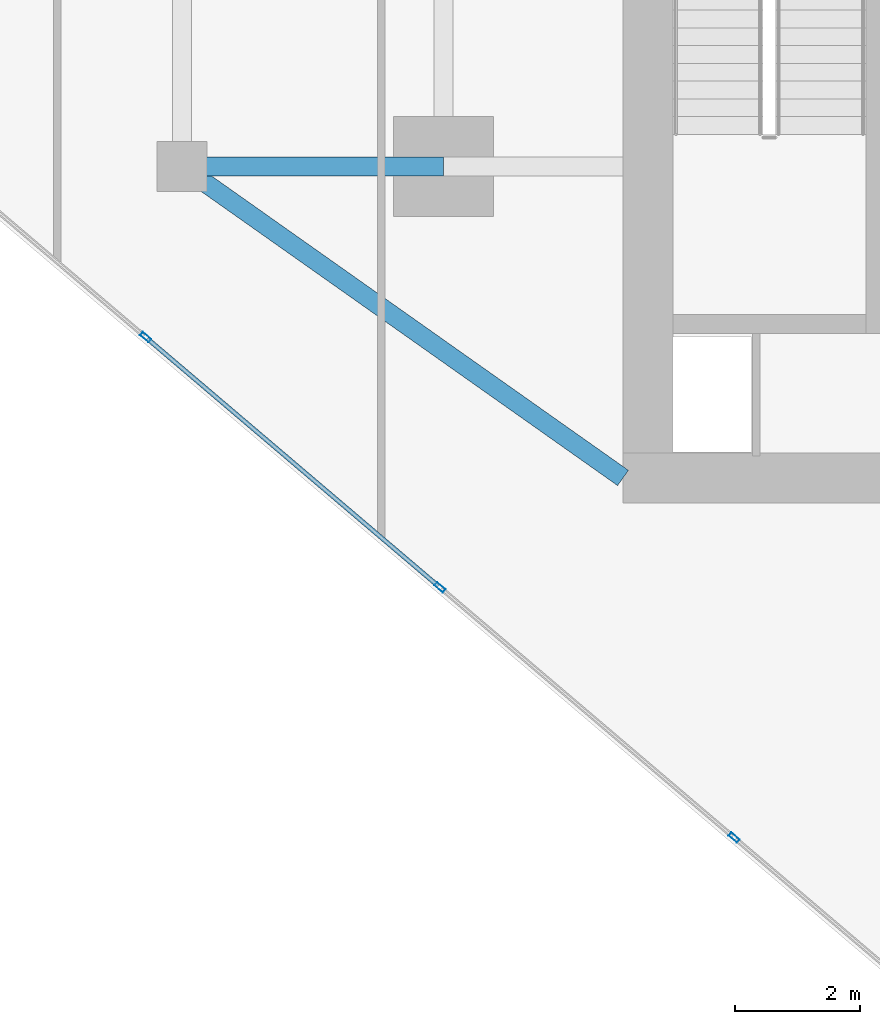
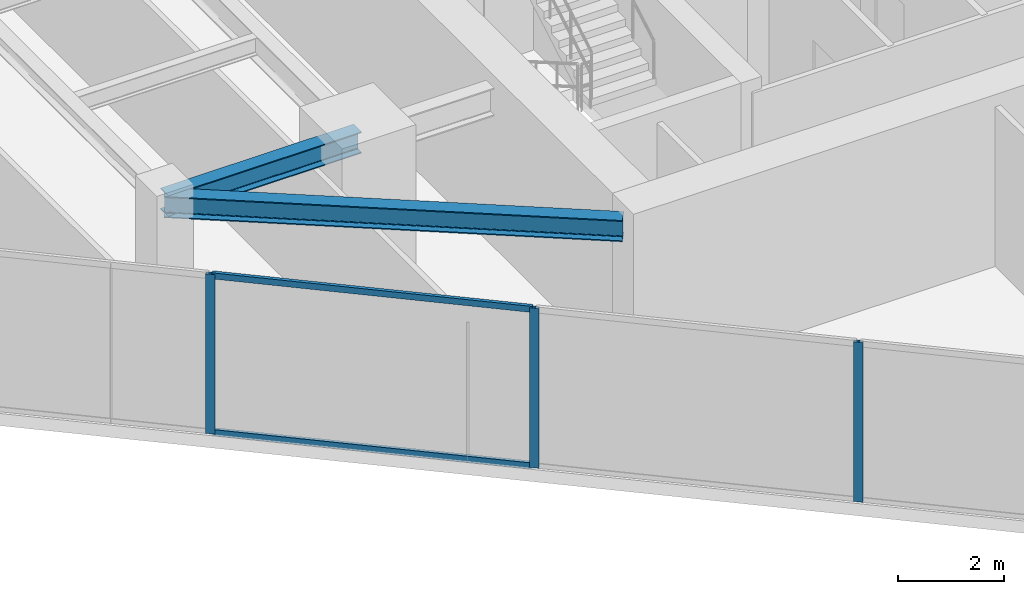
# One storey, part 2 of 25: 5 members, 2 beams, 1 element without a shape of its own.
"""IFC4 building model written with IfcOpenShell, lengths in metres."""

from ifc_helpers import new_model, si_unit, direction, frame, origin, origin_2d, place, context, subcontext, project, spatial, hollow_rectangle, i_section, extrude, source, transform, mapped, material, material_profile, profile_set, type_object, type_shapes, element, aggregate, save


model = new_model("IFC4")

# Units and contexts
model_context = context("Model", 3, precision=1e-05, world=origin(), true_north=direction((0.0, 1.0)))
body_context = subcontext(model_context, "Body", "Model", "MODEL_VIEW")
ifc_project = project(units=[si_unit("LENGTHUNIT", "METRE"), si_unit("AREAUNIT", "SQUARE_METRE"), si_unit("VOLUMEUNIT", "CUBIC_METRE"), si_unit("PLANEANGLEUNIT", "RADIAN"), si_unit("MASSUNIT", "GRAM", prefix="KILO")], contexts=[model_context])

# Site, building, storey
site_placement = place(None, origin())
site = spatial("IfcSite", under=ifc_project, at=site_placement, CompositionType="ELEMENT")
building_placement = place(site_placement, origin())
building = spatial("IfcBuilding", under=site, at=building_placement, Name="Krantzveldt Concourse Tower", CompositionType="ELEMENT")
storey_placement = place(building_placement, frame((0.0, 0.0, 215.199951171875)))
storey = spatial("IfcBuildingStorey", under=building, at=storey_placement, Name="L52", CompositionType="ELEMENT", Elevation=215.199951171875)

# Beams
ifc_material_1 = material(Name="Steel S355JR", Category="steel")
ifc_material_profile_1 = material_profile(ifc_material_1, i_section(OverallWidth=0.300048828125, OverallDepth=0.489990234375, WebThickness=0.011962890625, FlangeThickness=0.02294921875, FilletRadius=0.027099609375, at=origin_2d()), Name="Steel S355JR", Category="steel")
ifc_profile_set_1 = profile_set([ifc_material_profile_1], Name="Steel S355JR - HEA 500")
beam_type = type_object("IfcBeamType", Name="BM-B-HEA500", PredefinedType="BEAM", material=ifc_profile_set_1)
shared_shape_1 = source(origin(), body_context, "Body", "SweptSolid", [
    extrude(i_section(OverallWidth=0.300048828125, OverallDepth=0.489990234375, WebThickness=0.011962890625, FlangeThickness=0.02294921875, FilletRadius=0.027099609375, at=origin_2d()), origin(), (0.0, 0.0, 1.0), 4.199951171875),
])
beam_1_placement = place(storey_placement, frame((21.0, 15.89990234375, 3.425048828125), z_axis=(1.0, 0.0, 0.0), x_axis=(0.0, 1.0, 0.0)))
element("IfcBeam", 1, at=beam_1_placement, inside=storey, type_object=beam_type, Name="L52 Tower Girder BR-RL1", PredefinedType="BEAM", context=body_context, shape_type="MappedRepresentation", body=[
    mapped(shared_shape_1, transform((0.0, 0.0, 0.0), x_axis=(1.0, 0.0, 0.0), y_axis=(0.0, 1.0, 0.0), z_axis=(0.0, 0.0, 1.0), scale=1.0)),
])
shared_shape_2 = source(origin(), body_context, "Body", "SweptSolid", [
    extrude(i_section(OverallWidth=0.300048828125, OverallDepth=0.489990234375, WebThickness=0.011962890625, FlangeThickness=0.02294921875, FilletRadius=0.027099609375, at=origin_2d()), origin(), (0.0, 0.0, 1.0), 8.667724609375),
])
type_shapes(beam_type, [shared_shape_1, shared_shape_2])
beam_2_placement = place(storey_placement, frame((21.0, 15.89990234375, 3.425048828125), z_axis=(0.81684294656, -0.576860122261, 0.0), x_axis=(0.576860122261, 0.81684294656, 0.0)))
element("IfcBeam", 2, at=beam_2_placement, inside=storey, type_object=beam_type, Name="L52 Tower Girder BR-CSW", PredefinedType="BEAM", context=body_context, shape_type="MappedRepresentation", body=[
    mapped(shared_shape_2, transform((0.0, 0.0, 0.0), x_axis=(1.0, 0.0, 0.0), y_axis=(0.0, 1.0, 0.0), z_axis=(0.0, 0.0, 1.0), scale=1.0)),
])

# Curtain wall, members
ifc_material_2 = material(Name="Anodised aluminium 6063-T6", Category="aluminium")
curtain_wall_type = type_object("IfcCurtainWallType", Name="CW3", PredefinedType="USERDEFINED", material=ifc_material_2)
curtain_wall_placement = place(storey_placement, origin())
curtain_wall = element("IfcCurtainWall", 3, at=curtain_wall_placement, inside=storey, type_object=curtain_wall_type, Name="CW-L52-F04", ObjectType="UNITISED CURTAIN WALL", PredefinedType="USERDEFINED")
ifc_material_profile_2 = material_profile(ifc_material_2, hollow_rectangle(XDim=0.070068359375, YDim=0.179931640625, WallThickness=0.0048828125, at=origin_2d()), Name="Anodised aluminium 6063-T6", Category="aluminium")
ifc_profile_set_2 = profile_set([ifc_material_profile_2], Name="Anodised aluminium 6063-T6 - ALU-MULL 180x70x5")
member_type_1 = type_object("IfcMemberType", Name="CW-MUL-180", PredefinedType="MULLION", material=ifc_profile_set_2)
shared_shape_3 = source(origin(), body_context, "Body", "SweptSolid", [
    extrude(hollow_rectangle(XDim=0.070068359375, YDim=0.179931640625, WallThickness=0.0048828125, at=origin_2d()), origin(), (0.0, 0.0, 1.0), 3.670166015625),
])
type_shapes(member_type_1, [shared_shape_3])
member_1_placement = place(storey_placement, frame((20.4169921875, 13.159423828125, 0.0), z_axis=(0.0, 0.0, 1.0), x_axis=(0.647787694805, 0.761820912327, 0.0)))
member_1 = element("IfcMember", 4, at=member_1_placement, type_object=member_type_1, Name="CW-Z34 mullion 3", PredefinedType="MULLION", context=body_context, shape_type="MappedRepresentation", body=[
    mapped(shared_shape_3, transform((0.0, 0.0, 0.0), x_axis=(1.0, 0.0, 0.0), y_axis=(0.0, 1.0, 0.0), z_axis=(0.0, 0.0, 1.0), scale=1.0)),
])
member_2_placement = place(storey_placement, frame((25.140380859375, 9.14306640625, 0.0), z_axis=(0.0, 0.0, 1.0), x_axis=(0.647787694805, 0.761820912327, 0.0)))
member_2 = element("IfcMember", 5, at=member_2_placement, type_object=member_type_1, Name="CW-Z34 mullion 4", PredefinedType="MULLION", context=body_context, shape_type="MappedRepresentation", body=[
    mapped(shared_shape_3, transform((0.0, 0.0, 0.0), x_axis=(1.0, 0.0, 0.0), y_axis=(0.0, 1.0, 0.0), z_axis=(0.0, 0.0, 1.0), scale=1.0)),
])
member_3_placement = place(storey_placement, frame((29.863525390625, 5.126708984375, 0.0), z_axis=(0.0, 0.0, 1.0), x_axis=(0.647787694805, 0.761820912327, 0.0)))
member_3 = element("IfcMember", 6, at=member_3_placement, type_object=member_type_1, Name="CW-Z34 mullion 5", PredefinedType="MULLION", context=body_context, shape_type="MappedRepresentation", body=[
    mapped(shared_shape_3, transform((0.0, 0.0, 0.0), x_axis=(1.0, 0.0, 0.0), y_axis=(0.0, 1.0, 0.0), z_axis=(0.0, 0.0, 1.0), scale=1.0)),
])
ifc_material_profile_3 = material_profile(ifc_material_2, hollow_rectangle(XDim=0.070068359375, YDim=0.139892578125, WallThickness=0.0048828125, at=origin_2d()), Name="Anodised aluminium 6063-T6", Category="aluminium")
ifc_profile_set_3 = profile_set([ifc_material_profile_3], Name="Anodised aluminium 6063-T6 - ALU-TRAN 140x70x5")
member_type_2 = type_object("IfcMemberType", Name="CW-TRN-150", PredefinedType="USERDEFINED", material=ifc_profile_set_3)
shared_shape_4 = source(origin(), body_context, "Body", "SweptSolid", [
    extrude(hollow_rectangle(XDim=0.070068359375, YDim=0.139892578125, WallThickness=0.0048828125, at=origin_2d()), origin(), (0.0, 0.0, 1.0), 6.1298828125),
])
type_shapes(member_type_2, [shared_shape_4])
member_4_placement = place(storey_placement, frame((20.443603515625, 13.13671875, 0.03515625), z_axis=(0.761817452252, -0.647791763952, 0.0), x_axis=(0.647791763952, 0.761817452252, 0.0)))
member_4 = element("IfcMember", 7, at=member_4_placement, type_object=member_type_2, Name="CW-Z34 transom 3.1", ObjectType="TRANSOM", PredefinedType="USERDEFINED", context=body_context, shape_type="MappedRepresentation", body=[
    mapped(shared_shape_4, transform((0.0, 0.0, 0.0), x_axis=(1.0, 0.0, 0.0), y_axis=(0.0, 1.0, 0.0), z_axis=(0.0, 0.0, 1.0), scale=1.0)),
])
member_5_placement = place(storey_placement, frame((20.443603515625, 13.13671875, 3.635009765625), z_axis=(0.761817452252, -0.647791763952, 0.0), x_axis=(0.647791763952, 0.761817452252, 0.0)))
member_5 = element("IfcMember", 8, at=member_5_placement, type_object=member_type_2, Name="CW-Z34 transom 3.2", ObjectType="TRANSOM", PredefinedType="USERDEFINED", context=body_context, shape_type="MappedRepresentation", body=[
    mapped(shared_shape_4, transform((0.0, 0.0, 0.0), x_axis=(1.0, 0.0, 0.0), y_axis=(0.0, 1.0, 0.0), z_axis=(0.0, 0.0, 1.0), scale=1.0)),
])
aggregate(curtain_wall, [member_1, member_2, member_3, member_4, member_5])

save(model, "model.ifc")
